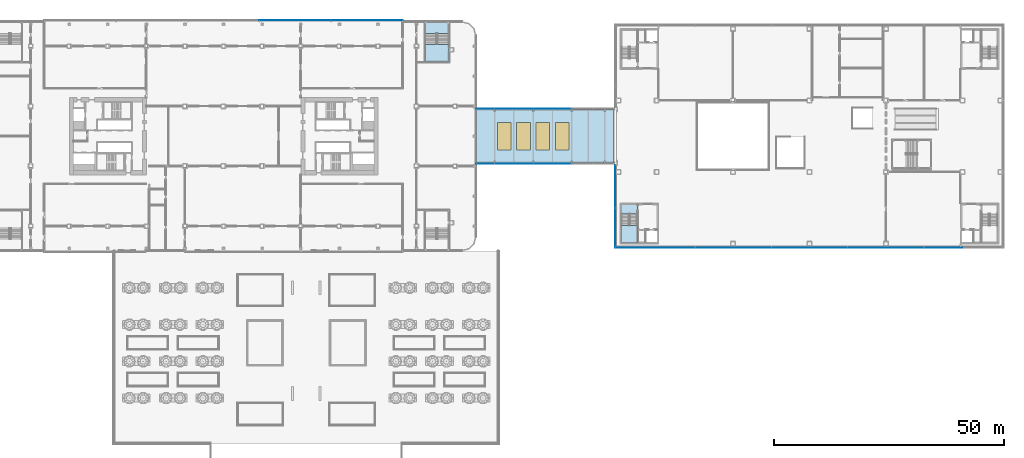
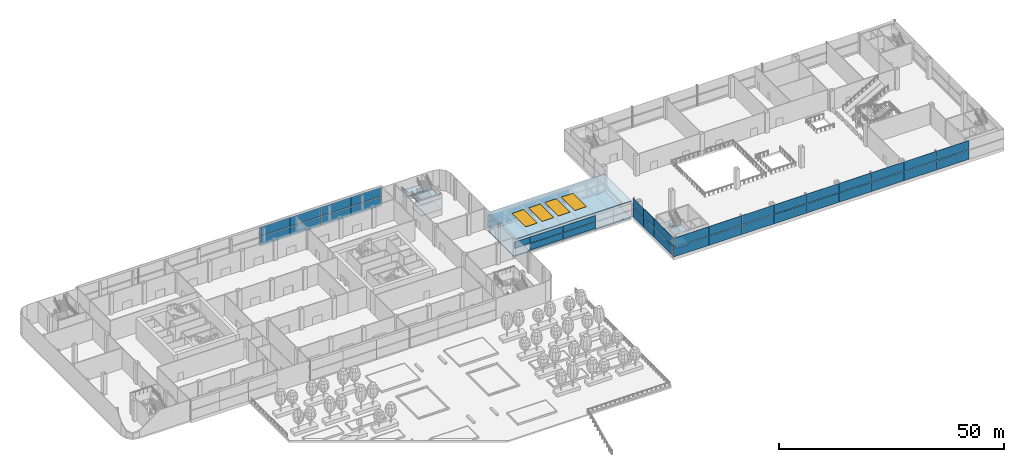
# One storey, part 27 of 100: 43 plates, 8 slabs, 4 windows, 4 openings, 11 elements without a shape of their own.
"""IFC4 building model written with IfcOpenShell, lengths in metres."""

from ifc_helpers import new_model, si_unit, direction, frame, origin, origin_2d, place, context, subcontext, project, spatial, polyline, rectangle, outline, extrude, material, layer, layer_set, type_object, element, fill, aggregate, save


model = new_model("IFC4")

# Units and contexts
model_context = context("Model", 3, precision=1e-05, world=origin(), true_north=direction((0.0, 1.0)))
body_context = subcontext(model_context, "Body", "Model", "MODEL_VIEW")
ifc_project = project(units=[si_unit("LENGTHUNIT", "METRE"), si_unit("AREAUNIT", "SQUARE_METRE"), si_unit("VOLUMEUNIT", "CUBIC_METRE"), si_unit("PLANEANGLEUNIT", "RADIAN"), si_unit("MASSUNIT", "GRAM", prefix="KILO")], contexts=[model_context])

# Site, building, storey
site_placement = place(None, origin())
site = spatial("IfcSite", under=ifc_project, at=site_placement, CompositionType="ELEMENT")
building_placement = place(site_placement, origin())
building = spatial("IfcBuilding", under=site, at=building_placement, Name="Hakoniwa Tower and Hamabe Station Hall", CompositionType="ELEMENT")
storey_placement = place(building_placement, frame((0.0, 0.0, 9.0)))
storey = spatial("IfcBuildingStorey", under=building, at=storey_placement, Name="L02", CompositionType="ELEMENT", Elevation=9.0)

# Slab
ifc_material_1 = material(Name="Concrete C36", Category="concrete")
ifc_layer_1 = layer(ifc_material_1, 0.300048828125)
ifc_layer_set_1 = layer_set([ifc_layer_1], Name="ARCADE DECK SLAB 300")
slab_type_1 = type_object("IfcSlabType", Name="ARCADE DECK SLAB 300", PredefinedType="FLOOR", material=ifc_layer_set_1)
slab_1_placement = place(storey_placement, frame((0.0, 0.0, -0.300048828125)))
element("IfcSlab", 1, at=slab_1_placement, inside=storey, type_object=slab_type_1, Name="Arcade deck slab", PredefinedType="FLOOR", context=body_context, shape_type="SweptSolid", body=[
    extrude(outline(polyline([(55.0, -5.800048828125), (85.0, -5.800048828125), (85.0, 5.800048828125), (55.0, 5.800048828125), (55.0, -5.800048828125)]), holes=[polyline([(58.824951171875, -5.425048828125), (59.175048828125, -5.425048828125), (59.175048828125, -5.77490234375), (58.824951171875, -5.77490234375), (58.824951171875, -5.425048828125)]), polyline([(67.22509765625, -5.425048828125), (67.574951171875, -5.425048828125), (67.574951171875, -5.77490234375), (67.22509765625, -5.77490234375), (67.22509765625, -5.425048828125)]), polyline([(75.625, -5.425048828125), (75.97509765625, -5.425048828125), (75.97509765625, -5.77490234375), (75.625, -5.77490234375), (75.625, -5.425048828125)]), polyline([(82.824951171875, -5.425048828125), (83.175048828125, -5.425048828125), (83.175048828125, -5.77490234375), (82.824951171875, -5.77490234375), (82.824951171875, -5.425048828125)]), polyline([(58.824951171875, 5.77490234375), (59.175048828125, 5.77490234375), (59.175048828125, 5.425048828125), (58.824951171875, 5.425048828125), (58.824951171875, 5.77490234375)]), polyline([(67.22509765625, 5.77490234375), (67.574951171875, 5.77490234375), (67.574951171875, 5.425048828125), (67.22509765625, 5.425048828125), (67.22509765625, 5.77490234375)]), polyline([(75.625, 5.77490234375), (75.97509765625, 5.77490234375), (75.97509765625, 5.425048828125), (75.625, 5.425048828125), (75.625, 5.77490234375)]), polyline([(82.824951171875, 5.77490234375), (83.175048828125, 5.77490234375), (83.175048828125, 5.425048828125), (82.824951171875, 5.425048828125), (82.824951171875, 5.77490234375)])]), origin(), (0.0, 0.0, 1.0), 0.300048828125),
])

# Slab, openings, windows
ifc_material_2 = material(Name="Concrete C36", Category="concrete")
ifc_layer_2 = layer(ifc_material_2, 0.199951171875)
ifc_layer_set_2 = layer_set([ifc_layer_2], Name="ARCADE ROOF SLAB 200")
slab_type_2 = type_object("IfcSlabType", Name="ARCADE ROOF SLAB 200", PredefinedType="ROOF", material=ifc_layer_set_2)
slab_2_placement = place(storey_placement, frame((0.0, 0.0, 4.39990234375)))
slab_2 = element("IfcSlab", 2, at=slab_2_placement, inside=storey, type_object=slab_type_2, Name="Arcade roof slab", PredefinedType="ROOF", context=body_context, shape_type="SweptSolid", body=[
    extrude(outline(polyline([(85.0, -6.0), (85.0, 6.0), (55.0, 6.0), (55.0, -6.0), (85.0, -6.0)])), origin(), (0.0, 0.0, 1.0), 0.2001953125),
])
opening_1_placement = place(slab_2_placement, frame((61.10009765625, 0.0, 0.0)))
opening_1 = element("IfcOpeningElement", 3, at=opening_1_placement, cuts=slab_2, Name="Opening RL-01", PredefinedType="OPENING", context=body_context, shape_type="SweptSolid", body=[
    extrude(rectangle(XDim=3.0, YDim=6.0, at=origin_2d()), origin(), (0.0, 0.0, 1.0), 0.2001953125),
])
opening_2_placement = place(slab_2_placement, frame((65.300048828125, 0.0, 0.0)))
opening_2 = element("IfcOpeningElement", 4, at=opening_2_placement, cuts=slab_2, Name="Opening RL-02", PredefinedType="OPENING", context=body_context, shape_type="SweptSolid", body=[
    extrude(rectangle(XDim=3.0, YDim=6.0, at=origin_2d()), origin(), (0.0, 0.0, 1.0), 0.2001953125),
])
opening_3_placement = place(slab_2_placement, frame((69.5, 0.0, 0.0)))
opening_3 = element("IfcOpeningElement", 5, at=opening_3_placement, cuts=slab_2, Name="Opening RL-03", PredefinedType="OPENING", context=body_context, shape_type="SweptSolid", body=[
    extrude(rectangle(XDim=3.0, YDim=6.0, at=origin_2d()), origin(), (0.0, 0.0, 1.0), 0.2001953125),
])
opening_4_placement = place(slab_2_placement, frame((73.699951171875, 0.0, 0.0)))
opening_4 = element("IfcOpeningElement", 6, at=opening_4_placement, cuts=slab_2, Name="Opening RL-04", PredefinedType="OPENING", context=body_context, shape_type="SweptSolid", body=[
    extrude(rectangle(XDim=3.0, YDim=6.0, at=origin_2d()), origin(), (0.0, 0.0, 1.0), 0.2001953125),
])
ifc_material_3 = material(Name="Laminated low-e glass", Category="glass")
window_type = type_object("IfcWindowType", Name="ARCADE ROOFLIGHT 3000X6000", PartitioningType="SINGLE_PANEL", PredefinedType="SKYLIGHT", material=ifc_material_3)
window_1_placement = place(opening_1_placement, frame((0.0, 0.0, 0.150146484375)))
window_1 = element("IfcWindow", 7, at=window_1_placement, inside=storey, type_object=window_type, Name="Arcade rooflight 01", OverallHeight=6.0, OverallWidth=3.0, PartitioningType="SINGLE_PANEL", PredefinedType="SKYLIGHT", context=body_context, shape_type="SweptSolid", body=[
    extrude(rectangle(XDim=3.0, YDim=6.0, at=origin_2d()), origin(), (0.0, 0.0, 1.0), 0.050048828125),
])
fill(opening_1, window_1)
window_2_placement = place(opening_2_placement, frame((0.0, 0.0, 0.150146484375)))
window_2 = element("IfcWindow", 8, at=window_2_placement, inside=storey, type_object=window_type, Name="Arcade rooflight 02", OverallHeight=6.0, OverallWidth=3.0, PartitioningType="SINGLE_PANEL", PredefinedType="SKYLIGHT", context=body_context, shape_type="SweptSolid", body=[
    extrude(rectangle(XDim=3.0, YDim=6.0, at=origin_2d()), origin(), (0.0, 0.0, 1.0), 0.050048828125),
])
fill(opening_2, window_2)
window_3_placement = place(opening_3_placement, frame((0.0, 0.0, 0.150146484375)))
window_3 = element("IfcWindow", 9, at=window_3_placement, inside=storey, type_object=window_type, Name="Arcade rooflight 03", OverallHeight=6.0, OverallWidth=3.0, PartitioningType="SINGLE_PANEL", PredefinedType="SKYLIGHT", context=body_context, shape_type="SweptSolid", body=[
    extrude(rectangle(XDim=3.0, YDim=6.0, at=origin_2d()), origin(), (0.0, 0.0, 1.0), 0.050048828125),
])
fill(opening_3, window_3)
window_4_placement = place(opening_4_placement, frame((0.0, 0.0, 0.150146484375)))
window_4 = element("IfcWindow", 10, at=window_4_placement, inside=storey, type_object=window_type, Name="Arcade rooflight 04", OverallHeight=6.0, OverallWidth=3.0, PartitioningType="SINGLE_PANEL", PredefinedType="SKYLIGHT", context=body_context, shape_type="SweptSolid", body=[
    extrude(rectangle(XDim=3.0, YDim=6.0, at=origin_2d()), origin(), (0.0, 0.0, 1.0), 0.050048828125),
])
fill(opening_4, window_4)

# Curtain wall, plates
ifc_material_4 = material(Name="Dark low-e laminated glass", Category="glass")
ifc_layer_3 = layer(ifc_material_4, 0.199951171875)
ifc_layer_set_3 = layer_set([ifc_layer_3], Name="CW-3 PODIUM LOBBY")
curtain_wall_type_1 = type_object("IfcCurtainWallType", Name="CW-3 PODIUM LOBBY", PredefinedType="NOTDEFINED", material=ifc_layer_set_3)
curtain_wall_1_placement = place(storey_placement, origin())
curtain_wall_1 = element("IfcCurtainWall", 11, at=curtain_wall_1_placement, inside=storey, type_object=curtain_wall_type_1, Name="Podium curtain wall L02 north 4", PredefinedType="NOTDEFINED")
ifc_material_5 = material(Name="Dark low-e laminated glass", Category="glass")
ifc_layer_4 = layer(ifc_material_5, 0.0380859375)
ifc_layer_set_4 = layer_set([ifc_layer_4], Name="CW-3 LOBBY GLASS UNIT")
plate_type_1 = type_object("IfcPlateType", Name="CW-3 LOBBY GLASS UNIT", PredefinedType="CURTAIN_PANEL", material=ifc_layer_set_4)
plate_1_placement = place(storey_placement, frame((35.10009765625, 25.285888671875, 0.35009765625), z_axis=(0.0, 0.0, 1.0), x_axis=(-1.0, 0.0, 0.0)))
plate_1 = element("IfcPlate", 12, at=plate_1_placement, type_object=plate_type_1, Name="CW-3 glass unit", PredefinedType="CURTAIN_PANEL", context=body_context, shape_type="SweptSolid", body=[
    extrude(rectangle(XDim=7.780029296875, YDim=0.0380859375, at=origin_2d()), origin(), (0.0, 0.0, 1.0), 2.489990234375),
])
plate_2_placement = place(storey_placement, frame((35.10009765625, 25.285888671875, 2.9599609375), z_axis=(0.0, 0.0, 1.0), x_axis=(-1.0, 0.0, 0.0)))
plate_2 = element("IfcPlate", 13, at=plate_2_placement, type_object=plate_type_1, Name="CW-3 glass unit", PredefinedType="CURTAIN_PANEL", context=body_context, shape_type="SweptSolid", body=[
    extrude(rectangle(XDim=7.780029296875, YDim=0.0380859375, at=origin_2d()), origin(), (0.0, 0.0, 1.0), 2.489990234375),
])
plate_3_placement = place(storey_placement, frame((27.300048828125, 25.285888671875, 0.35009765625), z_axis=(0.0, 0.0, 1.0), x_axis=(-1.0, 0.0, 0.0)))
plate_3 = element("IfcPlate", 14, at=plate_3_placement, type_object=plate_type_1, Name="CW-3 glass unit", PredefinedType="CURTAIN_PANEL", context=body_context, shape_type="SweptSolid", body=[
    extrude(rectangle(XDim=7.780029296875, YDim=0.0380859375, at=origin_2d()), origin(), (0.0, 0.0, 1.0), 2.489990234375),
])
plate_4_placement = place(storey_placement, frame((27.300048828125, 25.285888671875, 2.9599609375), z_axis=(0.0, 0.0, 1.0), x_axis=(-1.0, 0.0, 0.0)))
plate_4 = element("IfcPlate", 15, at=plate_4_placement, type_object=plate_type_1, Name="CW-3 glass unit", PredefinedType="CURTAIN_PANEL", context=body_context, shape_type="SweptSolid", body=[
    extrude(rectangle(XDim=7.780029296875, YDim=0.0380859375, at=origin_2d()), origin(), (0.0, 0.0, 1.0), 2.489990234375),
])
plate_5_placement = place(storey_placement, frame((19.5, 25.285888671875, 0.35009765625), z_axis=(0.0, 0.0, 1.0), x_axis=(-1.0, 0.0, 0.0)))
plate_5 = element("IfcPlate", 16, at=plate_5_placement, type_object=plate_type_1, Name="CW-3 glass unit", PredefinedType="CURTAIN_PANEL", context=body_context, shape_type="SweptSolid", body=[
    extrude(rectangle(XDim=7.780029296875, YDim=0.0380859375, at=origin_2d()), origin(), (0.0, 0.0, 1.0), 2.489990234375),
])
plate_6_placement = place(storey_placement, frame((19.5, 25.285888671875, 2.9599609375), z_axis=(0.0, 0.0, 1.0), x_axis=(-1.0, 0.0, 0.0)))
plate_6 = element("IfcPlate", 17, at=plate_6_placement, type_object=plate_type_1, Name="CW-3 glass unit", PredefinedType="CURTAIN_PANEL", context=body_context, shape_type="SweptSolid", body=[
    extrude(rectangle(XDim=7.780029296875, YDim=0.0380859375, at=origin_2d()), origin(), (0.0, 0.0, 1.0), 2.489990234375),
])
plate_7_placement = place(storey_placement, frame((11.699951171875, 25.285888671875, 0.35009765625), z_axis=(0.0, 0.0, 1.0), x_axis=(-1.0, 0.0, 0.0)))
plate_7 = element("IfcPlate", 18, at=plate_7_placement, type_object=plate_type_1, Name="CW-3 glass unit", PredefinedType="CURTAIN_PANEL", context=body_context, shape_type="SweptSolid", body=[
    extrude(rectangle(XDim=7.780029296875, YDim=0.0380859375, at=origin_2d()), origin(), (0.0, 0.0, 1.0), 2.489990234375),
])
plate_8_placement = place(storey_placement, frame((11.699951171875, 25.285888671875, 2.9599609375), z_axis=(0.0, 0.0, 1.0), x_axis=(-1.0, 0.0, 0.0)))
plate_8 = element("IfcPlate", 19, at=plate_8_placement, type_object=plate_type_1, Name="CW-3 glass unit", PredefinedType="CURTAIN_PANEL", context=body_context, shape_type="SweptSolid", body=[
    extrude(rectangle(XDim=7.780029296875, YDim=0.0380859375, at=origin_2d()), origin(), (0.0, 0.0, 1.0), 2.489990234375),
])
aggregate(curtain_wall_1, [plate_1, plate_2, plate_3, plate_4, plate_5, plate_6, plate_7, plate_8])

# Curtain wall, plate
ifc_material_6 = material(Name="Dark low-e laminated glass", Category="glass")
ifc_layer_5 = layer(ifc_material_6, 0.199951171875)
ifc_layer_set_5 = layer_set([ifc_layer_5], Name="CW-5 ARCADE")
curtain_wall_type_2 = type_object("IfcCurtainWallType", Name="CW-5 ARCADE", PredefinedType="NOTDEFINED", material=ifc_layer_set_5)
curtain_wall_2_placement = place(storey_placement, origin())
curtain_wall_2 = element("IfcCurtainWall", 20, at=curtain_wall_2_placement, inside=storey, type_object=curtain_wall_type_2, Name="CW-5 curtain wall", PredefinedType="NOTDEFINED")
ifc_material_7 = material(Name="Dark low-e laminated glass", Category="glass")
ifc_layer_6 = layer(ifc_material_7, 0.033935546875)
ifc_layer_set_6 = layer_set([ifc_layer_6], Name="CW-5 ARCADE GLASS UNIT")
plate_type_2 = type_object("IfcPlateType", Name="CW-5 ARCADE GLASS UNIT", PredefinedType="CURTAIN_PANEL", material=ifc_layer_set_6)
plate_9_placement = place(storey_placement, frame((57.0, -5.986083984375, 2.159912109375), z_axis=(0.0, 0.0, 1.0), x_axis=(1.0, 0.0, 0.0)))
plate_9 = element("IfcPlate", 21, at=plate_9_placement, type_object=plate_type_2, Name="CW-5 glass unit", PredefinedType="CURTAIN_PANEL", context=body_context, shape_type="SweptSolid", body=[
    extrude(rectangle(XDim=3.97998046875, YDim=0.033935546875, at=origin_2d()), origin(), (0.0, 0.0, 1.0), 1.68994140625),
])
aggregate(curtain_wall_2, [plate_9])

# Curtain wall, plates
curtain_wall_3_placement = place(storey_placement, origin())
curtain_wall_3 = element("IfcCurtainWall", 22, at=curtain_wall_3_placement, inside=storey, type_object=curtain_wall_type_2, Name="CW-5 curtain wall", PredefinedType="NOTDEFINED")
plate_10_placement = place(storey_placement, frame((63.199951171875, -5.986083984375, 0.35009765625), z_axis=(0.0, 0.0, 1.0), x_axis=(1.0, 0.0, 0.0)))
plate_10 = element("IfcPlate", 23, at=plate_10_placement, type_object=plate_type_2, Name="CW-5 glass unit", PredefinedType="CURTAIN_PANEL", context=body_context, shape_type="SweptSolid", body=[
    extrude(rectangle(XDim=8.3798828125, YDim=0.033935546875, at=origin_2d()), origin(), (0.0, 0.0, 1.0), 1.68994140625),
])
plate_11_placement = place(storey_placement, frame((63.199951171875, -5.986083984375, 2.159912109375), z_axis=(0.0, 0.0, 1.0), x_axis=(1.0, 0.0, 0.0)))
plate_11 = element("IfcPlate", 24, at=plate_11_placement, type_object=plate_type_2, Name="CW-5 glass unit", PredefinedType="CURTAIN_PANEL", context=body_context, shape_type="SweptSolid", body=[
    extrude(rectangle(XDim=8.3798828125, YDim=0.033935546875, at=origin_2d()), origin(), (0.0, 0.0, 1.0), 1.68994140625),
])
aggregate(curtain_wall_3, [plate_10, plate_11])

curtain_wall_4_placement = place(storey_placement, origin())
curtain_wall_4 = element("IfcCurtainWall", 25, at=curtain_wall_4_placement, inside=storey, type_object=curtain_wall_type_2, Name="CW-5 curtain wall", PredefinedType="NOTDEFINED")
plate_12_placement = place(storey_placement, frame((71.60009765625, -5.986083984375, 0.35009765625), z_axis=(0.0, 0.0, 1.0), x_axis=(1.0, 0.0, 0.0)))
plate_12 = element("IfcPlate", 26, at=plate_12_placement, type_object=plate_type_2, Name="CW-5 glass unit", PredefinedType="CURTAIN_PANEL", context=body_context, shape_type="SweptSolid", body=[
    extrude(rectangle(XDim=8.3798828125, YDim=0.033935546875, at=origin_2d()), origin(), (0.0, 0.0, 1.0), 1.68994140625),
])
plate_13_placement = place(storey_placement, frame((71.60009765625, -5.986083984375, 2.159912109375), z_axis=(0.0, 0.0, 1.0), x_axis=(1.0, 0.0, 0.0)))
plate_13 = element("IfcPlate", 27, at=plate_13_placement, type_object=plate_type_2, Name="CW-5 glass unit", PredefinedType="CURTAIN_PANEL", context=body_context, shape_type="SweptSolid", body=[
    extrude(rectangle(XDim=8.3798828125, YDim=0.033935546875, at=origin_2d()), origin(), (0.0, 0.0, 1.0), 1.68994140625),
])
aggregate(curtain_wall_4, [plate_12, plate_13])

curtain_wall_5_placement = place(storey_placement, origin())
curtain_wall_5 = element("IfcCurtainWall", 28, at=curtain_wall_5_placement, inside=storey, type_object=curtain_wall_type_2, Name="CW-5 curtain wall", PredefinedType="NOTDEFINED")
plate_14_placement = place(storey_placement, frame((71.60009765625, 5.986083984375, 0.35009765625), z_axis=(0.0, 0.0, 1.0), x_axis=(-1.0, 0.0, 0.0)))
plate_14 = element("IfcPlate", 29, at=plate_14_placement, type_object=plate_type_2, Name="CW-5 glass unit", PredefinedType="CURTAIN_PANEL", context=body_context, shape_type="SweptSolid", body=[
    extrude(rectangle(XDim=8.3798828125, YDim=0.033935546875, at=origin_2d()), origin(), (0.0, 0.0, 1.0), 1.68994140625),
])
plate_15_placement = place(storey_placement, frame((71.60009765625, 5.986083984375, 2.159912109375), z_axis=(0.0, 0.0, 1.0), x_axis=(-1.0, 0.0, 0.0)))
plate_15 = element("IfcPlate", 30, at=plate_15_placement, type_object=plate_type_2, Name="CW-5 glass unit", PredefinedType="CURTAIN_PANEL", context=body_context, shape_type="SweptSolid", body=[
    extrude(rectangle(XDim=8.3798828125, YDim=0.033935546875, at=origin_2d()), origin(), (0.0, 0.0, 1.0), 1.68994140625),
])
aggregate(curtain_wall_5, [plate_14, plate_15])

curtain_wall_6_placement = place(storey_placement, origin())
curtain_wall_6 = element("IfcCurtainWall", 31, at=curtain_wall_6_placement, inside=storey, type_object=curtain_wall_type_2, Name="CW-5 curtain wall", PredefinedType="NOTDEFINED")
plate_16_placement = place(storey_placement, frame((63.199951171875, 5.986083984375, 0.35009765625), z_axis=(0.0, 0.0, 1.0), x_axis=(-1.0, 0.0, 0.0)))
plate_16 = element("IfcPlate", 32, at=plate_16_placement, type_object=plate_type_2, Name="CW-5 glass unit", PredefinedType="CURTAIN_PANEL", context=body_context, shape_type="SweptSolid", body=[
    extrude(rectangle(XDim=8.3798828125, YDim=0.033935546875, at=origin_2d()), origin(), (0.0, 0.0, 1.0), 1.68994140625),
])
plate_17_placement = place(storey_placement, frame((63.199951171875, 5.986083984375, 2.159912109375), z_axis=(0.0, 0.0, 1.0), x_axis=(-1.0, 0.0, 0.0)))
plate_17 = element("IfcPlate", 33, at=plate_17_placement, type_object=plate_type_2, Name="CW-5 glass unit", PredefinedType="CURTAIN_PANEL", context=body_context, shape_type="SweptSolid", body=[
    extrude(rectangle(XDim=8.3798828125, YDim=0.033935546875, at=origin_2d()), origin(), (0.0, 0.0, 1.0), 1.68994140625),
])
aggregate(curtain_wall_6, [plate_16, plate_17])

curtain_wall_7_placement = place(storey_placement, origin())
curtain_wall_7 = element("IfcCurtainWall", 34, at=curtain_wall_7_placement, inside=storey, type_object=curtain_wall_type_2, Name="CW-5 curtain wall", PredefinedType="NOTDEFINED")
plate_18_placement = place(storey_placement, frame((57.0, 5.986083984375, 0.35009765625), z_axis=(0.0, 0.0, 1.0), x_axis=(-1.0, 0.0, 0.0)))
plate_18 = element("IfcPlate", 35, at=plate_18_placement, type_object=plate_type_2, Name="CW-5 glass unit", PredefinedType="CURTAIN_PANEL", context=body_context, shape_type="SweptSolid", body=[
    extrude(rectangle(XDim=3.97998046875, YDim=0.033935546875, at=origin_2d()), origin(), (0.0, 0.0, 1.0), 1.68994140625),
])
plate_19_placement = place(storey_placement, frame((57.0, 5.986083984375, 2.159912109375), z_axis=(0.0, 0.0, 1.0), x_axis=(-1.0, 0.0, 0.0)))
plate_19 = element("IfcPlate", 36, at=plate_19_placement, type_object=plate_type_2, Name="CW-5 glass unit", PredefinedType="CURTAIN_PANEL", context=body_context, shape_type="SweptSolid", body=[
    extrude(rectangle(XDim=3.97998046875, YDim=0.033935546875, at=origin_2d()), origin(), (0.0, 0.0, 1.0), 1.68994140625),
])
aggregate(curtain_wall_7, [plate_18, plate_19])

ifc_material_8 = material(Name="Dark low-e laminated glass", Category="glass")
ifc_layer_7 = layer(ifc_material_8, 0.199951171875)
ifc_layer_set_7 = layer_set([ifc_layer_7], Name="CW-7 STATION")
curtain_wall_type_3 = type_object("IfcCurtainWallType", Name="CW-7 STATION", PredefinedType="NOTDEFINED", material=ifc_layer_set_7)
curtain_wall_8_placement = place(storey_placement, origin())
curtain_wall_8 = element("IfcCurtainWall", 37, at=curtain_wall_8_placement, inside=storey, type_object=curtain_wall_type_3, Name="Station curtain wall L02 south", PredefinedType="NOTDEFINED")
ifc_material_9 = material(Name="Dark low-e laminated glass", Category="glass")
ifc_layer_8 = layer(ifc_material_9, 0.0400390625)
ifc_layer_set_8 = layer_set([ifc_layer_8], Name="CW-7 STATION GLASS UNIT")
plate_type_3 = type_object("IfcPlateType", Name="CW-7 STATION GLASS UNIT", PredefinedType="CURTAIN_PANEL", material=ifc_layer_set_8)
plate_20_placement = place(storey_placement, frame((89.760009765625, -24.285888671875, 0.35009765625), z_axis=(0.0, 0.0, 1.0), x_axis=(1.0, 0.0, 0.0)))
plate_20 = element("IfcPlate", 38, at=plate_20_placement, type_object=plate_type_3, Name="CW-7 glass unit", PredefinedType="CURTAIN_PANEL", context=body_context, shape_type="SweptSolid", body=[
    extrude(rectangle(XDim=9.0, YDim=0.0400390625, at=origin_2d()), origin(), (0.0, 0.0, 1.0), 2.489990234375),
])
plate_21_placement = place(storey_placement, frame((89.760009765625, -24.285888671875, 2.9599609375), z_axis=(0.0, 0.0, 1.0), x_axis=(1.0, 0.0, 0.0)))
plate_21 = element("IfcPlate", 39, at=plate_21_placement, type_object=plate_type_3, Name="CW-7 glass unit", PredefinedType="CURTAIN_PANEL", context=body_context, shape_type="SweptSolid", body=[
    extrude(rectangle(XDim=9.0, YDim=0.0400390625, at=origin_2d()), origin(), (0.0, 0.0, 1.0), 2.489990234375),
])
plate_22_placement = place(storey_placement, frame((98.429931640625, -24.285888671875, 0.35009765625), z_axis=(0.0, 0.0, 1.0), x_axis=(1.0, 0.0, 0.0)))
plate_22 = element("IfcPlate", 40, at=plate_22_placement, type_object=plate_type_3, Name="CW-7 glass unit", PredefinedType="CURTAIN_PANEL", context=body_context, shape_type="SweptSolid", body=[
    extrude(rectangle(XDim=8.300048828125, YDim=0.0400390625, at=origin_2d()), origin(), (0.0, 0.0, 1.0), 2.489990234375),
])
plate_23_placement = place(storey_placement, frame((98.429931640625, -24.285888671875, 2.9599609375), z_axis=(0.0, 0.0, 1.0), x_axis=(1.0, 0.0, 0.0)))
plate_23 = element("IfcPlate", 41, at=plate_23_placement, type_object=plate_type_3, Name="CW-7 glass unit", PredefinedType="CURTAIN_PANEL", context=body_context, shape_type="SweptSolid", body=[
    extrude(rectangle(XDim=8.300048828125, YDim=0.0400390625, at=origin_2d()), origin(), (0.0, 0.0, 1.0), 2.489990234375),
])
plate_24_placement = place(storey_placement, frame((106.75, -24.285888671875, 0.35009765625), z_axis=(0.0, 0.0, 1.0), x_axis=(1.0, 0.0, 0.0)))
plate_24 = element("IfcPlate", 42, at=plate_24_placement, type_object=plate_type_3, Name="CW-7 glass unit", PredefinedType="CURTAIN_PANEL", context=body_context, shape_type="SweptSolid", body=[
    extrude(rectangle(XDim=8.300048828125, YDim=0.0400390625, at=origin_2d()), origin(), (0.0, 0.0, 1.0), 2.489990234375),
])
plate_25_placement = place(storey_placement, frame((106.75, -24.285888671875, 2.9599609375), z_axis=(0.0, 0.0, 1.0), x_axis=(1.0, 0.0, 0.0)))
plate_25 = element("IfcPlate", 43, at=plate_25_placement, type_object=plate_type_3, Name="CW-7 glass unit", PredefinedType="CURTAIN_PANEL", context=body_context, shape_type="SweptSolid", body=[
    extrude(rectangle(XDim=8.300048828125, YDim=0.0400390625, at=origin_2d()), origin(), (0.0, 0.0, 1.0), 2.489990234375),
])
plate_26_placement = place(storey_placement, frame((115.070068359375, -24.285888671875, 0.35009765625), z_axis=(0.0, 0.0, 1.0), x_axis=(1.0, 0.0, 0.0)))
plate_26 = element("IfcPlate", 44, at=plate_26_placement, type_object=plate_type_3, Name="CW-7 glass unit", PredefinedType="CURTAIN_PANEL", context=body_context, shape_type="SweptSolid", body=[
    extrude(rectangle(XDim=8.300048828125, YDim=0.0400390625, at=origin_2d()), origin(), (0.0, 0.0, 1.0), 2.489990234375),
])
plate_27_placement = place(storey_placement, frame((115.070068359375, -24.285888671875, 2.9599609375), z_axis=(0.0, 0.0, 1.0), x_axis=(1.0, 0.0, 0.0)))
plate_27 = element("IfcPlate", 45, at=plate_27_placement, type_object=plate_type_3, Name="CW-7 glass unit", PredefinedType="CURTAIN_PANEL", context=body_context, shape_type="SweptSolid", body=[
    extrude(rectangle(XDim=8.300048828125, YDim=0.0400390625, at=origin_2d()), origin(), (0.0, 0.0, 1.0), 2.489990234375),
])
plate_28_placement = place(storey_placement, frame((123.389892578125, -24.285888671875, 0.35009765625), z_axis=(0.0, 0.0, 1.0), x_axis=(1.0, 0.0, 0.0)))
plate_28 = element("IfcPlate", 46, at=plate_28_placement, type_object=plate_type_3, Name="CW-7 glass unit", PredefinedType="CURTAIN_PANEL", context=body_context, shape_type="SweptSolid", body=[
    extrude(rectangle(XDim=8.300048828125, YDim=0.0400390625, at=origin_2d()), origin(), (0.0, 0.0, 1.0), 2.489990234375),
])
plate_29_placement = place(storey_placement, frame((123.389892578125, -24.285888671875, 2.9599609375), z_axis=(0.0, 0.0, 1.0), x_axis=(1.0, 0.0, 0.0)))
plate_29 = element("IfcPlate", 47, at=plate_29_placement, type_object=plate_type_3, Name="CW-7 glass unit", PredefinedType="CURTAIN_PANEL", context=body_context, shape_type="SweptSolid", body=[
    extrude(rectangle(XDim=8.300048828125, YDim=0.0400390625, at=origin_2d()), origin(), (0.0, 0.0, 1.0), 2.489990234375),
])
plate_30_placement = place(storey_placement, frame((131.7099609375, -24.285888671875, 0.35009765625), z_axis=(0.0, 0.0, 1.0), x_axis=(1.0, 0.0, 0.0)))
plate_30 = element("IfcPlate", 48, at=plate_30_placement, type_object=plate_type_3, Name="CW-7 glass unit", PredefinedType="CURTAIN_PANEL", context=body_context, shape_type="SweptSolid", body=[
    extrude(rectangle(XDim=8.300048828125, YDim=0.0400390625, at=origin_2d()), origin(), (0.0, 0.0, 1.0), 2.489990234375),
])
plate_31_placement = place(storey_placement, frame((131.7099609375, -24.285888671875, 2.9599609375), z_axis=(0.0, 0.0, 1.0), x_axis=(1.0, 0.0, 0.0)))
plate_31 = element("IfcPlate", 49, at=plate_31_placement, type_object=plate_type_3, Name="CW-7 glass unit", PredefinedType="CURTAIN_PANEL", context=body_context, shape_type="SweptSolid", body=[
    extrude(rectangle(XDim=8.300048828125, YDim=0.0400390625, at=origin_2d()), origin(), (0.0, 0.0, 1.0), 2.489990234375),
])
plate_32_placement = place(storey_placement, frame((140.030029296875, -24.285888671875, 0.35009765625), z_axis=(0.0, 0.0, 1.0), x_axis=(1.0, 0.0, 0.0)))
plate_32 = element("IfcPlate", 50, at=plate_32_placement, type_object=plate_type_3, Name="CW-7 glass unit", PredefinedType="CURTAIN_PANEL", context=body_context, shape_type="SweptSolid", body=[
    extrude(rectangle(XDim=8.300048828125, YDim=0.0400390625, at=origin_2d()), origin(), (0.0, 0.0, 1.0), 2.489990234375),
])
plate_33_placement = place(storey_placement, frame((140.030029296875, -24.285888671875, 2.9599609375), z_axis=(0.0, 0.0, 1.0), x_axis=(1.0, 0.0, 0.0)))
plate_33 = element("IfcPlate", 51, at=plate_33_placement, type_object=plate_type_3, Name="CW-7 glass unit", PredefinedType="CURTAIN_PANEL", context=body_context, shape_type="SweptSolid", body=[
    extrude(rectangle(XDim=8.300048828125, YDim=0.0400390625, at=origin_2d()), origin(), (0.0, 0.0, 1.0), 2.489990234375),
])
plate_34_placement = place(storey_placement, frame((148.35009765625, -24.285888671875, 0.35009765625), z_axis=(0.0, 0.0, 1.0), x_axis=(1.0, 0.0, 0.0)))
plate_34 = element("IfcPlate", 52, at=plate_34_placement, type_object=plate_type_3, Name="CW-7 glass unit", PredefinedType="CURTAIN_PANEL", context=body_context, shape_type="SweptSolid", body=[
    extrude(rectangle(XDim=8.300048828125, YDim=0.0400390625, at=origin_2d()), origin(), (0.0, 0.0, 1.0), 2.489990234375),
])
plate_35_placement = place(storey_placement, frame((148.35009765625, -24.285888671875, 2.9599609375), z_axis=(0.0, 0.0, 1.0), x_axis=(1.0, 0.0, 0.0)))
plate_35 = element("IfcPlate", 53, at=plate_35_placement, type_object=plate_type_3, Name="CW-7 glass unit", PredefinedType="CURTAIN_PANEL", context=body_context, shape_type="SweptSolid", body=[
    extrude(rectangle(XDim=8.300048828125, YDim=0.0400390625, at=origin_2d()), origin(), (0.0, 0.0, 1.0), 2.489990234375),
])
plate_36_placement = place(storey_placement, frame((156.669921875, -24.285888671875, 0.35009765625), z_axis=(0.0, 0.0, 1.0), x_axis=(1.0, 0.0, 0.0)))
plate_36 = element("IfcPlate", 54, at=plate_36_placement, type_object=plate_type_3, Name="CW-7 glass unit", PredefinedType="CURTAIN_PANEL", context=body_context, shape_type="SweptSolid", body=[
    extrude(rectangle(XDim=8.300048828125, YDim=0.0400390625, at=origin_2d()), origin(), (0.0, 0.0, 1.0), 2.489990234375),
])
plate_37_placement = place(storey_placement, frame((156.669921875, -24.285888671875, 2.9599609375), z_axis=(0.0, 0.0, 1.0), x_axis=(1.0, 0.0, 0.0)))
plate_37 = element("IfcPlate", 55, at=plate_37_placement, type_object=plate_type_3, Name="CW-7 glass unit", PredefinedType="CURTAIN_PANEL", context=body_context, shape_type="SweptSolid", body=[
    extrude(rectangle(XDim=8.300048828125, YDim=0.0400390625, at=origin_2d()), origin(), (0.0, 0.0, 1.0), 2.489990234375),
])
aggregate(curtain_wall_8, [plate_20, plate_21, plate_22, plate_23, plate_24, plate_25, plate_26, plate_27, plate_28, plate_29, plate_30, plate_31, plate_32, plate_33, plate_34, plate_35, plate_36, plate_37])

curtain_wall_9_placement = place(storey_placement, origin())
curtain_wall_9 = element("IfcCurtainWall", 56, at=curtain_wall_9_placement, inside=storey, type_object=curtain_wall_type_3, Name="Station curtain wall L02 west 2", PredefinedType="NOTDEFINED")
plate_38_placement = place(storey_placement, frame((85.263916015625, -8.625, 0.35009765625), z_axis=(0.0, 0.0, 1.0), x_axis=(0.0, -1.0, 0.0)))
plate_38 = element("IfcPlate", 57, at=plate_38_placement, type_object=plate_type_3, Name="CW-7 glass unit", PredefinedType="CURTAIN_PANEL", context=body_context, shape_type="SweptSolid", body=[
    extrude(rectangle(XDim=4.6298828125, YDim=0.0400390625, at=origin_2d()), origin(), (0.0, 0.0, 1.0), 2.489990234375),
])
plate_39_placement = place(storey_placement, frame((85.263916015625, -8.625, 2.9599609375), z_axis=(0.0, 0.0, 1.0), x_axis=(0.0, -1.0, 0.0)))
plate_39 = element("IfcPlate", 58, at=plate_39_placement, type_object=plate_type_3, Name="CW-7 glass unit", PredefinedType="CURTAIN_PANEL", context=body_context, shape_type="SweptSolid", body=[
    extrude(rectangle(XDim=4.6298828125, YDim=0.0400390625, at=origin_2d()), origin(), (0.0, 0.0, 1.0), 2.489990234375),
])
plate_40_placement = place(storey_placement, frame((85.263916015625, -13.27490234375, 0.35009765625), z_axis=(0.0, 0.0, 1.0), x_axis=(0.0, -1.0, 0.0)))
plate_40 = element("IfcPlate", 59, at=plate_40_placement, type_object=plate_type_3, Name="CW-7 glass unit", PredefinedType="CURTAIN_PANEL", context=body_context, shape_type="SweptSolid", body=[
    extrude(rectangle(XDim=4.6298828125, YDim=0.0400390625, at=origin_2d()), origin(), (0.0, 0.0, 1.0), 2.489990234375),
])
plate_41_placement = place(storey_placement, frame((85.263916015625, -13.27490234375, 2.9599609375), z_axis=(0.0, 0.0, 1.0), x_axis=(0.0, -1.0, 0.0)))
plate_41 = element("IfcPlate", 60, at=plate_41_placement, type_object=plate_type_3, Name="CW-7 glass unit", PredefinedType="CURTAIN_PANEL", context=body_context, shape_type="SweptSolid", body=[
    extrude(rectangle(XDim=4.6298828125, YDim=0.0400390625, at=origin_2d()), origin(), (0.0, 0.0, 1.0), 2.489990234375),
])
plate_42_placement = place(storey_placement, frame((85.263916015625, -19.85009765625, 0.35009765625), z_axis=(0.0, 0.0, 1.0), x_axis=(0.0, -1.0, 0.0)))
plate_42 = element("IfcPlate", 61, at=plate_42_placement, type_object=plate_type_3, Name="CW-7 glass unit", PredefinedType="CURTAIN_PANEL", context=body_context, shape_type="SweptSolid", body=[
    extrude(rectangle(XDim=8.47998046875, YDim=0.0400390625, at=origin_2d()), origin(), (0.0, 0.0, 1.0), 2.489990234375),
])
plate_43_placement = place(storey_placement, frame((85.263916015625, -19.85009765625, 2.9599609375), z_axis=(0.0, 0.0, 1.0), x_axis=(0.0, -1.0, 0.0)))
plate_43 = element("IfcPlate", 62, at=plate_43_placement, type_object=plate_type_3, Name="CW-7 glass unit", PredefinedType="CURTAIN_PANEL", context=body_context, shape_type="SweptSolid", body=[
    extrude(rectangle(XDim=8.47998046875, YDim=0.0400390625, at=origin_2d()), origin(), (0.0, 0.0, 1.0), 2.489990234375),
])
aggregate(curtain_wall_9, [plate_38, plate_39, plate_40, plate_41, plate_42, plate_43])

# Stair, slabs
ifc_material_10 = material(Name="Concrete C40", Category="concrete")
stair_type_1 = type_object("IfcStairType", Name="STAIR 2500 10X150", PredefinedType="HALF_TURN_STAIR", material=ifc_material_10)
stair_1_placement = place(storey_placement, origin())
stair_1 = element("IfcStair", 63, at=stair_1_placement, inside=storey, type_object=stair_type_1, Name="Escape stair PS2", PredefinedType="HALF_TURN_STAIR")
ifc_material_11 = material(Name="Concrete C40", Category="concrete")
ifc_layer_9 = layer(ifc_material_11, 0.25)
ifc_layer_set_9 = layer_set([ifc_layer_9], Name="STAIR LANDING 250")
slab_type_3 = type_object("IfcSlabType", Name="STAIR LANDING 250", PredefinedType="LANDING", material=ifc_layer_set_9)
slab_3_placement = place(storey_placement, frame((0.0, 0.0, 1.25)))
slab_3 = element("IfcSlab", 64, at=slab_3_placement, type_object=slab_type_3, Name="PS2 landing 1", PredefinedType="LANDING", context=body_context, shape_type="SweptSolid", body=[
    extrude(outline(polyline([(43.85009765625, 20.010009765625), (43.85009765625, 16.14990234375), (49.050048828125, 16.14990234375), (49.050048828125, 20.010009765625), (43.85009765625, 20.010009765625)])), origin(), (0.0, 0.0, 1.0), 0.25),
])
slab_4_placement = place(storey_placement, frame((0.0, 0.0, 2.75)))
slab_4 = element("IfcSlab", 65, at=slab_4_placement, type_object=slab_type_3, Name="PS2 landing 2", PredefinedType="LANDING", context=body_context, shape_type="SweptSolid", body=[
    extrude(outline(polyline([(43.85009765625, 24.85009765625), (43.85009765625, 22.35009765625), (49.050048828125, 22.35009765625), (49.050048828125, 24.85009765625), (43.85009765625, 24.85009765625)])), origin(), (0.0, 0.0, 1.0), 0.25),
])
slab_5_placement = place(storey_placement, frame((0.0, 0.0, 4.25)))
slab_5 = element("IfcSlab", 66, at=slab_5_placement, type_object=slab_type_3, Name="PS2 landing 3", PredefinedType="LANDING", context=body_context, shape_type="SweptSolid", body=[
    extrude(outline(polyline([(43.85009765625, 20.010009765625), (43.85009765625, 16.14990234375), (49.050048828125, 16.14990234375), (49.050048828125, 20.010009765625), (43.85009765625, 20.010009765625)])), origin(), (0.0, 0.0, 1.0), 0.25),
])
aggregate(stair_1, [slab_3, slab_4, slab_5])

ifc_material_12 = material(Name="Concrete C40", Category="concrete")
stair_type_2 = type_object("IfcStairType", Name="STAIR 1600 10X150", PredefinedType="HALF_TURN_STAIR", material=ifc_material_12)
stair_2_placement = place(storey_placement, origin())
stair_2 = element("IfcStair", 67, at=stair_2_placement, inside=storey, type_object=stair_type_2, Name="Escape stair SS3 L02", PredefinedType="HALF_TURN_STAIR")
slab_6_placement = place(storey_placement, frame((0.0, 0.0, 1.25)))
slab_6 = element("IfcSlab", 68, at=slab_6_placement, type_object=slab_type_3, Name="SS3 landing 1", PredefinedType="LANDING", context=body_context, shape_type="SweptSolid", body=[
    extrude(outline(polyline([(86.64990234375, -19.419921875), (86.64990234375, -23.10009765625), (90.050048828125, -23.10009765625), (90.050048828125, -19.419921875), (86.64990234375, -19.419921875)])), origin(), (0.0, 0.0, 1.0), 0.25),
])
slab_7_placement = place(storey_placement, frame((0.0, 0.0, 2.75)))
slab_7 = element("IfcSlab", 69, at=slab_7_placement, type_object=slab_type_3, Name="SS3 landing 2", PredefinedType="LANDING", context=body_context, shape_type="SweptSolid", body=[
    extrude(outline(polyline([(86.64990234375, -14.89990234375), (86.64990234375, -16.89990234375), (90.050048828125, -16.89990234375), (90.050048828125, -14.89990234375), (86.64990234375, -14.89990234375)])), origin(), (0.0, 0.0, 1.0), 0.25),
])
slab_8_placement = place(storey_placement, frame((0.0, 0.0, 4.25)))
slab_8 = element("IfcSlab", 70, at=slab_8_placement, type_object=slab_type_3, Name="SS3 landing 3", PredefinedType="LANDING", context=body_context, shape_type="SweptSolid", body=[
    extrude(outline(polyline([(86.64990234375, -19.419921875), (86.64990234375, -23.10009765625), (90.050048828125, -23.10009765625), (90.050048828125, -19.419921875), (86.64990234375, -19.419921875)])), origin(), (0.0, 0.0, 1.0), 0.25),
])
aggregate(stair_2, [slab_6, slab_7, slab_8])

save(model, "model.ifc")
